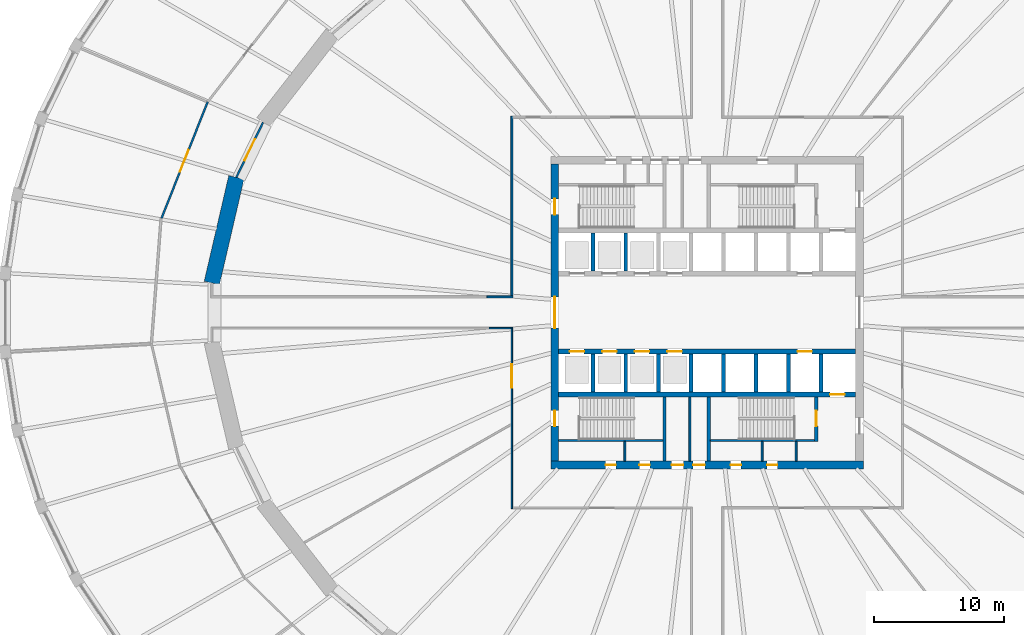
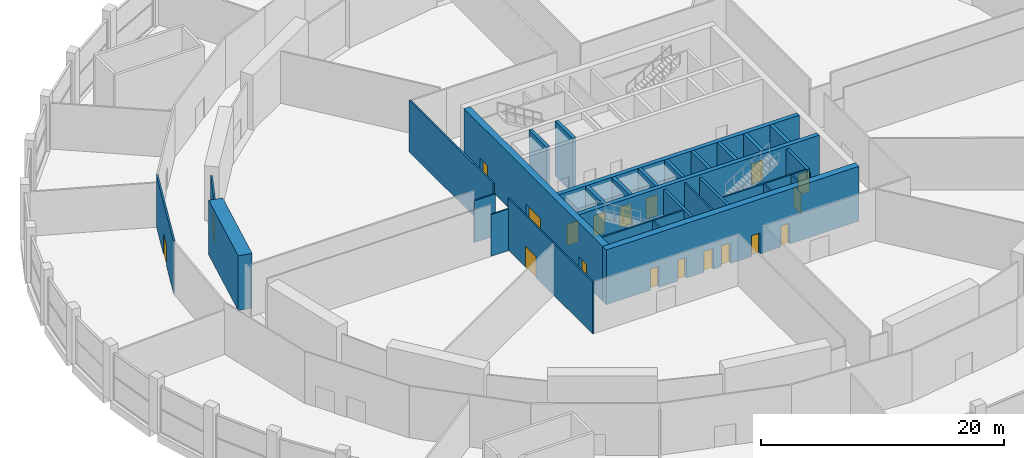
# One storey, part 20 of 26: 30 walls, 19 doors, 19 openings.
"""IFC4 building model written with IfcOpenShell, lengths in metres."""

import ifcopenshell
import ifcopenshell.guid

model = None  # the IFC model being written
_history = None  # IfcOwnerHistory: only IFC2X3 demands one
_inside = {}  # id of a spatial element -> (the spatial element, [elements in it])
_under = {}  # id of a project, library or spatial element -> (it, [spatial elements below it])
_declared = {}  # id of a project -> (the project, [libraries it declares])
_typed = {}  # id of a type object -> (the type object, [elements of that type])
_made_of = {}  # id of a material, layer set ... -> (it, [elements and type objects made of it])


def new_model(schema):
    """Start an empty IFC model of exactly this schema.

    Asked for "IFC4X3", IfcOpenShell would pick the latest addendum, in which some entities
    have other attributes; the version numbers below select the first issue.
    IFC2X3 requires an IfcOwnerHistory on every rooted entity: one is made here for all.
    """
    global model, _history
    if schema == "IFC4X3":
        model = ifcopenshell.file(schema_version=(4, 3, 0, 0))
    else:
        model = ifcopenshell.file(schema=schema)
    _inside.clear()
    _under.clear()
    _declared.clear()
    _typed.clear()
    _made_of.clear()
    _history = None
    if model.schema == "IFC2X3":
        org = make("IfcOrganization", Name="unknown")
        user = make(
            "IfcPersonAndOrganization",
            ThePerson=make("IfcPerson", FamilyName="unknown"),
            TheOrganization=org,
        )
        app = make(
            "IfcApplication",
            ApplicationDeveloper=org,
            Version="unknown",
            ApplicationFullName="unknown",
            ApplicationIdentifier="unknown",
        )
        _history = make(
            "IfcOwnerHistory",
            OwningUser=user,
            OwningApplication=app,
            ChangeAction="ADDED",
            CreationDate=0,
        )
    return model


def make(cls, **values):
    """One entity of the class cls with the attributes given. An attribute that is None is left unset."""
    return model.create_entity(
        cls, **{name: value for name, value in values.items() if value is not None}
    )


def rooted(cls, **values):
    """An entity with a GlobalId (a new one), such as an element, a storey or a relation."""
    return make(cls, GlobalId=ifcopenshell.guid.new(), OwnerHistory=_history, **values)


def si_unit(unit_type, name, prefix=None):
    """IfcSIUnit, for example si_unit("LENGTHUNIT", "METRE", prefix="MILLI")."""
    return make("IfcSIUnit", UnitType=unit_type, Prefix=prefix, Name=name)


def assignment(units):
    """IfcUnitAssignment: the units of a project."""
    return None if units is None else make("IfcUnitAssignment", Units=units)


def point(xyz):
    """IfcCartesianPoint."""
    return None if xyz is None else make("IfcCartesianPoint", Coordinates=xyz)


def direction(xyz):
    """IfcDirection."""
    return None if xyz is None else make("IfcDirection", DirectionRatios=xyz)


def frame(location, z_axis=None, x_axis=None):
    """IfcAxis2Placement3D, a coordinate frame: its origin and axes. An axis left out is left unset."""
    return make(
        "IfcAxis2Placement3D",
        Location=point(location),
        Axis=direction(z_axis),
        RefDirection=direction(x_axis),
    )


def frame_2d(location, x_axis=None):
    """IfcAxis2Placement2D, a coordinate frame in the plane: its origin and x axis."""
    return make(
        "IfcAxis2Placement2D", Location=point(location), RefDirection=direction(x_axis)
    )


def origin():
    """The frame at (0, 0, 0) with its axes left unset."""
    return frame((0.0, 0.0, 0.0))


def place(relative_to, where):
    """IfcLocalPlacement: puts the frame where relative to a parent placement (None: the world)."""
    return make(
        "IfcLocalPlacement", PlacementRelTo=relative_to, RelativePlacement=where
    )


def context(
    kind, dimensions, precision=None, world=None, true_north=None, identifier=None
):
    """IfcGeometricRepresentationContext, for example the 3D "Model" context."""
    return make(
        "IfcGeometricRepresentationContext",
        ContextIdentifier=identifier,
        ContextType=kind,
        CoordinateSpaceDimension=dimensions,
        Precision=precision,
        WorldCoordinateSystem=world,
        TrueNorth=true_north,
    )


def subcontext(parent, identifier, kind, view, scale=None):
    """IfcGeometricRepresentationSubContext, for example "Body" below "Model"."""
    return make(
        "IfcGeometricRepresentationSubContext",
        ContextIdentifier=identifier,
        ContextType=kind,
        ParentContext=parent,
        TargetScale=scale,
        TargetView=view,
    )


def project(units=None, contexts=None):
    """IfcProject with its units and contexts."""
    return rooted(
        "IfcProject",
        Name="project",
        RepresentationContexts=contexts,
        UnitsInContext=assignment(units),
    )


def spatial(cls, under=None, at=None, **own):
    """A site, building, storey or space (cls), placed at a placement, below another one or the project."""
    s = rooted(cls, ObjectPlacement=at, **own)
    if under is not None:
        _under.setdefault(under.id(), (under, []))[1].append(s)
    return s


def polyline(points):
    """IfcPolyline through the points."""
    return make("IfcPolyline", Points=[point(p) for p in points])


def profile(cls, at=None, kind="AREA", **sizes):
    """A parametric profile (cls). Its sizes go by their IFC names, for example OverallWidth=200.0."""
    return make(cls, ProfileType=kind, Position=at, **sizes)


def rectangle(**sizes):
    """IfcRectangleProfileDef."""
    return profile("IfcRectangleProfileDef", **sizes)


def outline(outer, holes=None, kind="AREA"):
    """IfcArbitraryClosedProfileDef: a profile drawn as a closed curve; with holes, ...WithVoids."""
    if holes is None:
        return make("IfcArbitraryClosedProfileDef", ProfileType=kind, OuterCurve=outer)
    return make(
        "IfcArbitraryProfileDefWithVoids",
        ProfileType=kind,
        OuterCurve=outer,
        InnerCurves=holes,
    )


def extrude(swept, where, along, depth):
    """IfcExtrudedAreaSolid: the profile swept, set in the frame where, extruded along a direction by depth."""
    return make(
        "IfcExtrudedAreaSolid",
        SweptArea=swept,
        Position=where,
        ExtrudedDirection=direction(along),
        Depth=depth,
    )


def shape(context_of_items, identifier, shape_type, items):
    """IfcShapeRepresentation: the items that make up one representation, for example the "Body"."""
    return make(
        "IfcShapeRepresentation",
        ContextOfItems=context_of_items,
        RepresentationIdentifier=identifier,
        RepresentationType=shape_type,
        Items=items,
    )


def material(Name=None, Category=None):
    """IfcMaterial."""
    return make("IfcMaterial", Name=Name, Category=Category)


def layer(
    of_material, thickness, ventilated=None, Name=None, Category=None, Priority=None
):
    """IfcMaterialLayer: one layer of a wall or slab, of a material (None: an air gap)."""
    return make(
        "IfcMaterialLayer",
        Material=of_material,
        LayerThickness=thickness,
        IsVentilated=ventilated,
        Name=Name,
        Category=Category,
        Priority=Priority,
    )


def layer_set(layers, Name=None):
    """IfcMaterialLayerSet."""
    return make("IfcMaterialLayerSet", MaterialLayers=layers, LayerSetName=Name)


def made_of(thing, what):
    """Note that an element or type object is made of a material, layer set ...; save() writes the relation."""
    if what is not None:
        _made_of.setdefault(what.id(), (what, []))[1].append(thing)
    return thing


def type_object(cls, material=None, **own):
    """A type object (cls), such as IfcWallType, which elements share."""
    return made_of(rooted(cls, **own), material)


def element(
    cls,
    number,
    at=None,
    inside=None,
    cuts=None,
    type_object=None,
    material=None,
    context=None,
    identifier="Body",
    shape_type=None,
    held_by="IfcProductDefinitionShape",
    body=None,
    shapes=None,
    **own,
):
    """One element of the class cls, such as IfcWall. Its Tag is "e" and its number.

    at: its placement. inside: the storey or other place that contains it. cuts: it is an
    opening in that element (IfcRelVoidsElement). A single representation is given by context,
    identifier, shape_type and body (its items); several are given by shapes. held_by: the class
    of the entity that holds the representations. save() writes the other relations.
    """
    e = rooted(cls, Tag="e%d" % number, ObjectPlacement=at, **own)
    if body is not None:
        shapes = [shape(context, identifier, shape_type, body)]
    if shapes is not None:
        e.Representation = make(held_by, Representations=shapes)
    if inside is not None:
        _inside.setdefault(inside.id(), (inside, []))[1].append(e)
    if cuts is not None:
        rooted(
            "IfcRelVoidsElement", RelatingBuildingElement=cuts, RelatedOpeningElement=e
        )
    if type_object is not None:
        _typed.setdefault(type_object.id(), (type_object, []))[1].append(e)
    return made_of(e, material)


def fill(opening, filler):
    """IfcRelFillsElement: the door or window that sits in an opening."""
    return rooted(
        "IfcRelFillsElement",
        RelatingOpeningElement=opening,
        RelatedBuildingElement=filler,
    )


def aggregate(whole, parts):
    """IfcRelAggregates: a whole, such as a stair, and the parts it consists of."""
    return rooted("IfcRelAggregates", RelatingObject=whole, RelatedObjects=parts)


def save(model, path):
    """Write the relations noted so far, then the file.

    IfcRelAggregates (storeys below a building ...), IfcRelContainedInSpatialStructure (elements
    in a storey), IfcRelDefinesByType, IfcRelAssociatesMaterial and IfcRelDeclares: one each for
    every whole, place, type object, material and project.
    """
    for whole, parts in _under.values():
        aggregate(whole, parts)
    for where, things in _inside.values():
        rooted(
            "IfcRelContainedInSpatialStructure",
            RelatedElements=things,
            RelatingStructure=where,
        )
    for kind, things in _typed.values():
        rooted("IfcRelDefinesByType", RelatedObjects=things, RelatingType=kind)
    for what, things in _made_of.values():
        rooted("IfcRelAssociatesMaterial", RelatedObjects=things, RelatingMaterial=what)
    for by, libraries in _declared.values():
        rooted("IfcRelDeclares", RelatingContext=by, RelatedDefinitions=libraries)
    model.write(path)


model = new_model("IFC4")

# Units and contexts
model_context = context("Model", 3, precision=1e-05, world=origin(), true_north=direction((0.0, 1.0)))
body_context = subcontext(model_context, "Body", "Model", "MODEL_VIEW")
ifc_project = project(units=[si_unit("LENGTHUNIT", "METRE"), si_unit("AREAUNIT", "SQUARE_METRE"), si_unit("VOLUMEUNIT", "CUBIC_METRE"), si_unit("PLANEANGLEUNIT", "RADIAN"), si_unit("MASSUNIT", "GRAM", prefix="KILO")], contexts=[model_context])

# Site, building, storey
site_placement = place(None, origin())
site = spatial("IfcSite", under=ifc_project, at=site_placement, CompositionType="ELEMENT")
building_placement = place(site_placement, origin())
building = spatial("IfcBuilding", under=site, at=building_placement, Name="Halqa Exchange Tower", CompositionType="ELEMENT")
storey_placement = place(building_placement, frame((0.0, 0.0, 18.0)))
storey = spatial("IfcBuildingStorey", under=building, at=storey_placement, Name="L03", CompositionType="ELEMENT", Elevation=18.0)

# Wall, opening, door
ifc_material_1 = material(Name="Fire-rated gypsum board")
ifc_layer_1 = layer(ifc_material_1, 0.14990234375)
ifc_layer_set_1 = layer_set([ifc_layer_1], Name="Fire-rated gypsum board")
wall_type_1 = type_object("IfcWallType", Name="Fire partition EI 60 150", PredefinedType="PARTITIONING", material=ifc_layer_set_1)
wall_1_placement = place(storey_placement, frame((-41.89892578125, 7.233642578125, 0.0), z_axis=(0.0, 0.0, 1.0), x_axis=(0.36854636118, 0.929609369392, 0.0)))
wall_1 = element("IfcWall", 1, at=wall_1_placement, inside=storey, type_object=wall_type_1, Name="L03-PWL-003", PredefinedType="PARTITIONING", context=body_context, shape_type="SweptSolid", body=[
    extrude(rectangle(XDim=9.625244140625, YDim=0.14990234375, at=frame_2d((4.8125, 0.0))), origin(), (0.0, 0.0, 1.0), 5.199951171875),
])
opening_1_placement = place(wall_1_placement, frame((3.845458984375, 0.0, 0.0)))
opening_1 = element("IfcOpeningElement", 2, at=opening_1_placement, cuts=wall_1, Name="Opening L03-25", PredefinedType="OPENING", context=body_context, shape_type="SweptSolid", body=[
    extrude(rectangle(XDim=1.800048828125, YDim=2.10009765625, at=frame_2d((0.89990234375, 1.050048828125))), frame((0.0, 0.0869140625, 0.0), z_axis=(0.0, -1.0, 0.0), x_axis=(1.0, 0.0, 0.0)), (0.0, 0.0, 1.0), 0.173828125),
])
ifc_material_2 = material(Name="Steel fire door leaf", Category="steel")
door_type_1 = type_object("IfcDoorType", Name="Fire door FD30S double 1800 x 2100", OperationType="DOUBLE_DOOR_SINGLE_SWING", PredefinedType="DOOR", material=ifc_material_2)
door_1_placement = place(opening_1_placement, origin())
door_1 = element("IfcDoor", 3, at=door_1_placement, inside=storey, type_object=door_type_1, Name="L03-IDR-025", OperationType="DOUBLE_DOOR_SINGLE_SWING", OverallHeight=2.10009765625, OverallWidth=1.800048828125, PredefinedType="DOOR", context=body_context, shape_type="SweptSolid", body=[
    extrude(rectangle(XDim=1.800048828125, YDim=2.10009765625, at=frame_2d((0.89990234375, 1.050048828125))), frame((0.0, 0.02490234375, 0.0), z_axis=(0.0, -1.0, 0.0), x_axis=(1.0, 0.0, 0.0)), (0.0, 0.0, 1.0), 0.050048828125),
])
fill(opening_1, door_1)

wall_2_placement = place(storey_placement, frame((-34.09716796875, 14.605712890625, 0.0), z_axis=(0.0, 0.0, 1.0), x_axis=(-0.436936398764, -0.899492403212, 0.0)))
wall_2 = element("IfcWall", 4, at=wall_2_placement, inside=storey, type_object=wall_type_1, Name="L03-PWL-015", PredefinedType="PARTITIONING", context=body_context, shape_type="SweptSolid", body=[
    extrude(outline(polyline([(-0.015869140625, -0.074951171875), (4.715087890625, -0.074951171875), (4.680908203125, 0.074951171875), (0.015869140625, 0.074951171875), (-0.015869140625, -0.074951171875)])), origin(), (0.0, 0.0, 1.0), 4.60009765625),
])
opening_2_placement = place(wall_2_placement, frame((1.452392578125, 0.0, 0.0)))
opening_2 = element("IfcOpeningElement", 5, at=opening_2_placement, cuts=wall_2, Name="Opening L03-08", PredefinedType="OPENING", context=body_context, shape_type="SweptSolid", body=[
    extrude(rectangle(XDim=1.800048828125, YDim=2.10009765625, at=frame_2d((0.89990234375, 1.050048828125))), frame((0.0, 0.0869140625, 0.0), z_axis=(0.0, -1.0, 0.0), x_axis=(1.0, 0.0, 0.0)), (0.0, 0.0, 1.0), 0.173828125),
])
door_2_placement = place(opening_2_placement, origin())
door_2 = element("IfcDoor", 6, at=door_2_placement, inside=storey, type_object=door_type_1, Name="L03-IDR-008", OperationType="DOUBLE_DOOR_SINGLE_SWING", OverallHeight=2.10009765625, OverallWidth=1.800048828125, PredefinedType="DOOR", context=body_context, shape_type="SweptSolid", body=[
    extrude(rectangle(XDim=1.800048828125, YDim=2.10009765625, at=frame_2d((0.89990234375, 1.050048828125))), frame((0.0, 0.02490234375, 0.0), z_axis=(0.0, -1.0, 0.0), x_axis=(1.0, 0.0, 0.0)), (0.0, 0.0, 1.0), 0.050048828125),
])
fill(opening_2, door_2)

# Walls
wall_3_placement = place(storey_placement, frame((-15.0, 1.27490234375, 0.0), z_axis=(0.0, 0.0, 1.0), x_axis=(0.0, 1.0, 0.0)))
element("IfcWall", 7, at=wall_3_placement, inside=storey, type_object=wall_type_1, Name="L03-PWL-030", PredefinedType="PARTITIONING", context=body_context, shape_type="SweptSolid", body=[
    extrude(rectangle(XDim=13.800048828125, YDim=0.14990234375, at=frame_2d((6.89990234375, 0.0))), origin(), (0.0, 0.0, 1.0), 5.199951171875),
])
wall_4_placement = place(storey_placement, frame((-16.91796875, 1.199951171875, 0.0), z_axis=(0.0, 0.0, 1.0), x_axis=(1.0, 0.0, 0.0)))
element("IfcWall", 8, at=wall_4_placement, inside=storey, type_object=wall_type_1, Name="L03-PWL-085", PredefinedType="PARTITIONING", context=body_context, shape_type="SweptSolid", body=[
    extrude(rectangle(XDim=1.992919921875, YDim=0.14990234375, at=frame_2d((0.99658203125, 0.0))), origin(), (0.0, 0.0, 1.0), 4.19189453125),
])

# Wall, opening, door
ifc_material_3 = material(Name="Fire-rated glazing", Category="glass")
ifc_layer_2 = layer(ifc_material_3, 0.1201171875)
ifc_layer_set_2 = layer_set([ifc_layer_2], Name="Fire-rated glazing")
wall_type_2 = type_object("IfcWallType", Name="Glazed fire partition EI 60 120", PredefinedType="PARTITIONING", material=ifc_layer_set_2)
wall_5_placement = place(storey_placement, frame((-15.0, -15.06005859375, 0.0), z_axis=(0.0, 0.0, 1.0), x_axis=(0.0, 1.0, 0.0)))
wall_5 = element("IfcWall", 9, at=wall_5_placement, inside=storey, type_object=wall_type_2, Name="L03-PWL-027", PredefinedType="PARTITIONING", context=body_context, shape_type="SweptSolid", body=[
    extrude(rectangle(XDim=13.920166015625, YDim=0.1201171875, at=frame_2d((6.9599609375, 0.0))), origin(), (0.0, 0.0, 1.0), 5.199951171875),
])
opening_3_placement = place(wall_5_placement, frame((9.277587890625, 0.0, 0.0)))
opening_3 = element("IfcOpeningElement", 10, at=opening_3_placement, cuts=wall_5, Name="Opening L03-09", PredefinedType="OPENING", context=body_context, shape_type="SweptSolid", body=[
    extrude(rectangle(XDim=1.800048828125, YDim=2.10009765625, at=frame_2d((0.89990234375, 1.050048828125))), frame((0.0, 0.072021484375, 0.0), z_axis=(0.0, -1.0, 0.0), x_axis=(1.0, 0.0, 0.0)), (0.0, 0.0, 1.0), 0.14404296875),
])
door_3_placement = place(opening_3_placement, origin())
door_3 = element("IfcDoor", 11, at=door_3_placement, inside=storey, type_object=door_type_1, Name="L03-IDR-009", OperationType="DOUBLE_DOOR_SINGLE_SWING", OverallHeight=2.10009765625, OverallWidth=1.800048828125, PredefinedType="DOOR", context=body_context, shape_type="SweptSolid", body=[
    extrude(rectangle(XDim=1.800048828125, YDim=2.10009765625, at=frame_2d((0.89990234375, 1.050048828125))), frame((0.0, 0.02490234375, 0.0), z_axis=(0.0, -1.0, 0.0), x_axis=(1.0, 0.0, 0.0)), (0.0, 0.0, 1.0), 0.050048828125),
])
fill(opening_3, door_3)

# Walls
wall_6_placement = place(storey_placement, frame((-15.06005859375, -1.199951171875, 0.0), z_axis=(0.0, 0.0, 1.0), x_axis=(-1.0, 0.0, 0.0)))
element("IfcWall", 12, at=wall_6_placement, inside=storey, type_object=wall_type_2, Name="L03-PWL-029", PredefinedType="PARTITIONING", context=body_context, shape_type="SweptSolid", body=[
    extrude(rectangle(XDim=1.68017578125, YDim=0.1201171875, at=frame_2d((0.840087890625, 0.0))), origin(), (0.0, 0.0, 1.0), 4.19189453125),
])
ifc_material_4 = material(Name="Gypsum board")
ifc_layer_3 = layer(ifc_material_4, 0.14990234375)
ifc_layer_set_3 = layer_set([ifc_layer_3], Name="Gypsum board")
wall_type_3 = type_object("IfcWallType", Name="Penthouse riser wall 150 gypsum", PredefinedType="PARTITIONING", material=ifc_layer_set_3)
wall_7_placement = place(storey_placement, frame((-1.324951171875, -11.39990234375, 0.0), z_axis=(0.0, 0.0, 1.0), x_axis=(0.0, 1.0, 0.0)))
element("IfcWall", 13, at=wall_7_placement, inside=storey, type_object=wall_type_3, Name="Partition W1.325 S", PredefinedType="PARTITIONING", context=body_context, shape_type="SweptSolid", body=[
    extrude(rectangle(XDim=4.89990234375, YDim=0.14990234375, at=frame_2d((2.449951171875, 0.0))), origin(), (0.0, 0.0, 1.0), 5.199951171875),
])
for number, where, z_axis, x_axis, name in (
    (14, (-6.324951171875, -11.39990234375, 0.0), (0.0, 0.0, 1.0), (0.0, 1.0, 0.0), "Partition W6.325 S"),
    (15, (4.22509765625, -11.39990234375, 0.0), (0.0, 0.0, 1.0), (0.0, 1.0, 0.0), "Partition E4.225 S"),
    (16, (6.824951171875, -11.39990234375, 0.0), (0.0, 0.0, 1.0), (0.0, 1.0, 0.0), "Firefighting lobby west wall S"),
):
    element("IfcWall", number, at=place(storey_placement, frame(where, z_axis=z_axis, x_axis=x_axis)), inside=storey, type_object=wall_type_3, Name=name, PredefinedType="PARTITIONING", context=body_context, shape_type="SweptSolid", body=[
        extrude(rectangle(XDim=1.5, YDim=0.14990234375, at=frame_2d((0.75, 0.0))), origin(), (0.0, 0.0, 1.0), 5.199951171875),
    ])
ifc_material_5 = material(Name="Concrete C60/75", Category="concrete")
ifc_layer_4 = layer(ifc_material_5, 0.300048828125)
ifc_layer_set_4 = layer_set([ifc_layer_4], Name="Concrete C60/75")
wall_type_4 = type_object("IfcWallType", Name="RC core wall 300", PredefinedType="SHEAR", material=ifc_layer_set_4)
for number, where, z_axis, x_axis, name in (
    (17, (-8.75, 3.199951171875, 0.0), (0.0, 0.0, 1.0), (0.0, 1.0, 0.0), "Shaft divider N1"),
    (18, (-6.25, 3.199951171875, 0.0), (0.0, 0.0, 1.0), (0.0, 1.0, 0.0), "Shaft divider N2"),
    (19, (-8.75, -6.10009765625, 0.0), (0.0, 0.0, 1.0), (0.0, 1.0, 0.0), "Shaft divider S1"),
    (20, (-6.25, -6.10009765625, 0.0), (0.0, 0.0, 1.0), (0.0, 1.0, 0.0), "Shaft divider S2"),
    (21, (-3.75, -6.10009765625, 0.0), (0.0, 0.0, 1.0), (0.0, 1.0, 0.0), "Shaft divider S3"),
    (22, (-1.25, -6.10009765625, 0.0), (0.0, 0.0, 1.0), (0.0, 1.0, 0.0), "Shaft divider S4"),
    (23, (1.25, -6.10009765625, 0.0), (0.0, 0.0, 1.0), (0.0, 1.0, 0.0), "Shaft divider S5"),
    (24, (3.75, -6.10009765625, 0.0), (0.0, 0.0, 1.0), (0.0, 1.0, 0.0), "Shaft divider S6"),
    (25, (6.25, -6.10009765625, 0.0), (0.0, 0.0, 1.0), (0.0, 1.0, 0.0), "Shaft divider S7"),
    (26, (8.75, -6.10009765625, 0.0), (0.0, 0.0, 1.0), (0.0, 1.0, 0.0), "Shaft divider S8"),
):
    element("IfcWall", number, at=place(storey_placement, frame(where, z_axis=z_axis, x_axis=x_axis)), inside=storey, type_object=wall_type_4, Name=name, PredefinedType="SHEAR", context=body_context, shape_type="SweptSolid", body=[
        extrude(rectangle(XDim=2.900146484375, YDim=0.300048828125, at=frame_2d((1.4501953125, 0.0))), origin(), (0.0, 0.0, 1.0), 5.5),
    ])

# Wall, openings, doors
ifc_material_6 = material(Name="Concrete C80/95", Category="concrete")
ifc_layer_5 = layer(ifc_material_6, 0.39990234375)
ifc_layer_set_5 = layer_set([ifc_layer_5], Name="Concrete C80/95")
wall_type_5 = type_object("IfcWallType", Name="RC core wall 400 C80/95", PredefinedType="SHEAR", material=ifc_layer_set_5)
wall_8_placement = place(storey_placement, frame((-11.39990234375, -3.0, 0.0), z_axis=(0.0, 0.0, 1.0), x_axis=(1.0, 0.0, 0.0)))
wall_8 = element("IfcWall", 27, at=wall_8_placement, inside=storey, type_object=wall_type_5, Name="Lift row front wall S", PredefinedType="SHEAR", context=body_context, shape_type="SweptSolid", body=[
    extrude(rectangle(XDim=22.7998046875, YDim=0.39990234375, at=frame_2d((11.39990234375, 0.0))), origin(), (0.0, 0.0, 1.0), 5.5),
])
opening_4_placement = place(wall_8_placement, frame((0.85009765625, 0.0, 0.0)))
opening_4 = element("IfcOpeningElement", 28, at=opening_4_placement, cuts=wall_8, Name="Opening LD-LR5-L03", PredefinedType="OPENING", context=body_context, shape_type="SweptSolid", body=[
    extrude(rectangle(XDim=1.10009765625, YDim=2.10009765625, at=frame_2d((0.550048828125, 1.050048828125))), frame((0.0, 0.2119140625, 0.0), z_axis=(0.0, -1.0, 0.0), x_axis=(1.0, 0.0, 0.0)), (0.0, 0.0, 1.0), 0.423828125),
])
opening_5_placement = place(wall_8_placement, frame((3.35009765625, 0.0, 0.0)))
opening_5 = element("IfcOpeningElement", 29, at=opening_5_placement, cuts=wall_8, Name="Opening LD-LR6-L03", PredefinedType="OPENING", context=body_context, shape_type="SweptSolid", body=[
    extrude(rectangle(XDim=1.10009765625, YDim=2.10009765625, at=frame_2d((0.550048828125, 1.050048828125))), frame((0.0, 0.2119140625, 0.0), z_axis=(0.0, -1.0, 0.0), x_axis=(1.0, 0.0, 0.0)), (0.0, 0.0, 1.0), 0.423828125),
])
opening_6_placement = place(wall_8_placement, frame((5.85009765625, 0.0, 0.0)))
opening_6 = element("IfcOpeningElement", 30, at=opening_6_placement, cuts=wall_8, Name="Opening LD-LR7-L03", PredefinedType="OPENING", context=body_context, shape_type="SweptSolid", body=[
    extrude(rectangle(XDim=1.10009765625, YDim=2.10009765625, at=frame_2d((0.550048828125, 1.050048828125))), frame((0.0, 0.2119140625, 0.0), z_axis=(0.0, -1.0, 0.0), x_axis=(1.0, 0.0, 0.0)), (0.0, 0.0, 1.0), 0.423828125),
])
opening_7_placement = place(wall_8_placement, frame((8.35009765625, 0.0, 0.0)))
opening_7 = element("IfcOpeningElement", 31, at=opening_7_placement, cuts=wall_8, Name="Opening LD-LR8-L03", PredefinedType="OPENING", context=body_context, shape_type="SweptSolid", body=[
    extrude(rectangle(XDim=1.10009765625, YDim=2.10009765625, at=frame_2d((0.550048828125, 1.050048828125))), frame((0.0, 0.2119140625, 0.0), z_axis=(0.0, -1.0, 0.0), x_axis=(1.0, 0.0, 0.0)), (0.0, 0.0, 1.0), 0.423828125),
])
opening_8_placement = place(wall_8_placement, frame((18.35009765625, 0.0, 0.0)))
opening_8 = element("IfcOpeningElement", 32, at=opening_8_placement, cuts=wall_8, Name="Opening LD-SV2-L03", PredefinedType="OPENING", context=body_context, shape_type="SweptSolid", body=[
    extrude(rectangle(XDim=1.10009765625, YDim=2.10009765625, at=frame_2d((0.550048828125, 1.050048828125))), frame((0.0, 0.2119140625, 0.0), z_axis=(0.0, -1.0, 0.0), x_axis=(1.0, 0.0, 0.0)), (0.0, 0.0, 1.0), 0.423828125),
])
ifc_material_7 = material(Name="Stainless steel", Category="steel")
door_type_2 = type_object("IfcDoorType", Name="Lift landing door 1100 x 2100", OperationType="SLIDING_TO_LEFT", PredefinedType="DOOR", material=ifc_material_7)
door_4_placement = place(opening_4_placement, origin())
door_4 = element("IfcDoor", 33, at=door_4_placement, inside=storey, type_object=door_type_2, Name="Lift landing door LR5", OperationType="SLIDING_TO_LEFT", OverallHeight=2.10009765625, OverallWidth=1.10009765625, PredefinedType="DOOR", context=body_context, shape_type="SweptSolid", body=[
    extrude(rectangle(XDim=1.10009765625, YDim=2.10009765625, at=frame_2d((0.550048828125, 1.050048828125))), frame((0.0, 0.02490234375, 0.0), z_axis=(0.0, -1.0, 0.0), x_axis=(1.0, 0.0, 0.0)), (0.0, 0.0, 1.0), 0.050048828125),
])
fill(opening_4, door_4)
door_5_placement = place(opening_5_placement, origin())
door_5 = element("IfcDoor", 34, at=door_5_placement, inside=storey, type_object=door_type_2, Name="Lift landing door LR6", OperationType="SLIDING_TO_LEFT", OverallHeight=2.10009765625, OverallWidth=1.10009765625, PredefinedType="DOOR", context=body_context, shape_type="SweptSolid", body=[
    extrude(rectangle(XDim=1.10009765625, YDim=2.10009765625, at=frame_2d((0.550048828125, 1.050048828125))), frame((0.0, 0.02490234375, 0.0), z_axis=(0.0, -1.0, 0.0), x_axis=(1.0, 0.0, 0.0)), (0.0, 0.0, 1.0), 0.050048828125),
])
fill(opening_5, door_5)
door_6_placement = place(opening_6_placement, origin())
door_6 = element("IfcDoor", 35, at=door_6_placement, inside=storey, type_object=door_type_2, Name="Lift landing door LR7", OperationType="SLIDING_TO_LEFT", OverallHeight=2.10009765625, OverallWidth=1.10009765625, PredefinedType="DOOR", context=body_context, shape_type="SweptSolid", body=[
    extrude(rectangle(XDim=1.10009765625, YDim=2.10009765625, at=frame_2d((0.550048828125, 1.050048828125))), frame((0.0, 0.02490234375, 0.0), z_axis=(0.0, -1.0, 0.0), x_axis=(1.0, 0.0, 0.0)), (0.0, 0.0, 1.0), 0.050048828125),
])
fill(opening_6, door_6)
door_7_placement = place(opening_7_placement, origin())
door_7 = element("IfcDoor", 36, at=door_7_placement, inside=storey, type_object=door_type_2, Name="Lift landing door LR8", OperationType="SLIDING_TO_LEFT", OverallHeight=2.10009765625, OverallWidth=1.10009765625, PredefinedType="DOOR", context=body_context, shape_type="SweptSolid", body=[
    extrude(rectangle(XDim=1.10009765625, YDim=2.10009765625, at=frame_2d((0.550048828125, 1.050048828125))), frame((0.0, 0.02490234375, 0.0), z_axis=(0.0, -1.0, 0.0), x_axis=(1.0, 0.0, 0.0)), (0.0, 0.0, 1.0), 0.050048828125),
])
fill(opening_7, door_7)
door_8_placement = place(opening_8_placement, origin())
door_8 = element("IfcDoor", 37, at=door_8_placement, inside=storey, type_object=door_type_2, Name="Lift landing door SV2", OperationType="SLIDING_TO_LEFT", OverallHeight=2.10009765625, OverallWidth=1.10009765625, PredefinedType="DOOR", context=body_context, shape_type="SweptSolid", body=[
    extrude(rectangle(XDim=1.10009765625, YDim=2.10009765625, at=frame_2d((0.550048828125, 1.050048828125))), frame((0.0, 0.02490234375, 0.0), z_axis=(0.0, -1.0, 0.0), x_axis=(1.0, 0.0, 0.0)), (0.0, 0.0, 1.0), 0.050048828125),
])
fill(opening_8, door_8)

# Wall, opening, door
wall_9_placement = place(storey_placement, frame((-11.39990234375, -6.300048828125, 0.0), z_axis=(0.0, 0.0, 1.0), x_axis=(1.0, 0.0, 0.0)))
wall_9 = element("IfcWall", 38, at=wall_9_placement, inside=storey, type_object=wall_type_5, Name="Lift row back wall S", PredefinedType="SHEAR", context=body_context, shape_type="SweptSolid", body=[
    extrude(rectangle(XDim=22.7998046875, YDim=0.39990234375, at=frame_2d((11.39990234375, 0.0))), origin(), (0.0, 0.0, 1.0), 5.5),
])
opening_9_placement = place(wall_9_placement, frame((20.85009765625, 0.0, 0.0)))
opening_9 = element("IfcOpeningElement", 39, at=opening_9_placement, cuts=wall_9, Name="Opening LD-FF2-L03", PredefinedType="OPENING", context=body_context, shape_type="SweptSolid", body=[
    extrude(rectangle(XDim=1.10009765625, YDim=2.10009765625, at=frame_2d((0.550048828125, 1.050048828125))), frame((0.0, 0.2119140625, 0.0), z_axis=(0.0, -1.0, 0.0), x_axis=(1.0, 0.0, 0.0)), (0.0, 0.0, 1.0), 0.423828125),
])
door_9_placement = place(opening_9_placement, origin())
door_9 = element("IfcDoor", 40, at=door_9_placement, inside=storey, type_object=door_type_2, Name="Lift landing door FF2", OperationType="SLIDING_TO_LEFT", OverallHeight=2.10009765625, OverallWidth=1.10009765625, PredefinedType="DOOR", context=body_context, shape_type="SweptSolid", body=[
    extrude(rectangle(XDim=1.10009765625, YDim=2.10009765625, at=frame_2d((0.550048828125, 1.050048828125))), frame((0.0, 0.02490234375, 0.0), z_axis=(0.0, -1.0, 0.0), x_axis=(1.0, 0.0, 0.0)), (0.0, 0.0, 1.0), 0.050048828125),
])
fill(opening_9, door_9)

# Wall, openings, doors
ifc_layer_6 = layer(ifc_material_6, 0.60009765625)
ifc_layer_set_6 = layer_set([ifc_layer_6], Name="Concrete C80/95")
wall_type_6 = type_object("IfcWallType", Name="RC core wall 600 C80/95", PredefinedType="SHEAR", material=ifc_layer_set_6)
wall_10_placement = place(storey_placement, frame((-12.0, -11.699951171875, 0.0), z_axis=(0.0, 0.0, 1.0), x_axis=(1.0, 0.0, 0.0)))
wall_10 = element("IfcWall", 41, at=wall_10_placement, inside=storey, type_object=wall_type_6, Name="Core wall south", PredefinedType="SHEAR", context=body_context, shape_type="SweptSolid", body=[
    extrude(rectangle(XDim=24.0, YDim=0.60009765625, at=frame_2d((12.0, 0.0))), origin(), (0.0, 0.0, 1.0), 5.5),
])
opening_10_placement = place(wall_10_placement, frame((9.27490234375, 0.0, 0.0)))
opening_10 = element("IfcOpeningElement", 42, at=opening_10_placement, cuts=wall_10, Name="Opening L03-C31", PredefinedType="OPENING", context=body_context, shape_type="SweptSolid", body=[
    extrude(rectangle(XDim=0.89990234375, YDim=2.10009765625, at=frame_2d((0.449951171875, 1.050048828125))), frame((0.0, 0.31201171875, 0.0), z_axis=(0.0, -1.0, 0.0), x_axis=(1.0, 0.0, 0.0)), (0.0, 0.0, 1.0), 0.6240234375),
])
opening_11_placement = place(wall_10_placement, frame((10.925048828125, 0.0, 0.0)))
opening_11 = element("IfcOpeningElement", 43, at=opening_11_placement, cuts=wall_10, Name="Opening L03-C32", PredefinedType="OPENING", context=body_context, shape_type="SweptSolid", body=[
    extrude(rectangle(XDim=0.89990234375, YDim=2.10009765625, at=frame_2d((0.449951171875, 1.050048828125))), frame((0.0, 0.31201171875, 0.0), z_axis=(0.0, -1.0, 0.0), x_axis=(1.0, 0.0, 0.0)), (0.0, 0.0, 1.0), 0.6240234375),
])
opening_12_placement = place(wall_10_placement, frame((4.199951171875, 0.0, 0.0)))
opening_12 = element("IfcOpeningElement", 44, at=opening_12_placement, cuts=wall_10, Name="Opening L03-C33", PredefinedType="OPENING", context=body_context, shape_type="SweptSolid", body=[
    extrude(rectangle(XDim=0.800048828125, YDim=2.10009765625, at=frame_2d((0.39990234375, 1.050048828125))), frame((0.0, 0.31201171875, 0.0), z_axis=(0.0, -1.0, 0.0), x_axis=(1.0, 0.0, 0.0)), (0.0, 0.0, 1.0), 0.6240234375),
])
opening_13_placement = place(wall_10_placement, frame((6.800048828125, 0.0, 0.0)))
opening_13 = element("IfcOpeningElement", 45, at=opening_13_placement, cuts=wall_10, Name="Opening L03-C34", PredefinedType="OPENING", context=body_context, shape_type="SweptSolid", body=[
    extrude(rectangle(XDim=0.800048828125, YDim=2.10009765625, at=frame_2d((0.39990234375, 1.050048828125))), frame((0.0, 0.31201171875, 0.0), z_axis=(0.0, -1.0, 0.0), x_axis=(1.0, 0.0, 0.0)), (0.0, 0.0, 1.0), 0.6240234375),
])
opening_14_placement = place(wall_10_placement, frame((13.800048828125, 0.0, 0.0)))
opening_14 = element("IfcOpeningElement", 46, at=opening_14_placement, cuts=wall_10, Name="Opening L03-C35", PredefinedType="OPENING", context=body_context, shape_type="SweptSolid", body=[
    extrude(rectangle(XDim=0.800048828125, YDim=2.10009765625, at=frame_2d((0.39990234375, 1.050048828125))), frame((0.0, 0.31201171875, 0.0), z_axis=(0.0, -1.0, 0.0), x_axis=(1.0, 0.0, 0.0)), (0.0, 0.0, 1.0), 0.6240234375),
])
opening_15_placement = place(wall_10_placement, frame((16.60009765625, 0.0, 0.0)))
opening_15 = element("IfcOpeningElement", 47, at=opening_15_placement, cuts=wall_10, Name="Opening L03-C36", PredefinedType="OPENING", context=body_context, shape_type="SweptSolid", body=[
    extrude(rectangle(XDim=0.800048828125, YDim=2.10009765625, at=frame_2d((0.39990234375, 1.050048828125))), frame((0.0, 0.31201171875, 0.0), z_axis=(0.0, -1.0, 0.0), x_axis=(1.0, 0.0, 0.0)), (0.0, 0.0, 1.0), 0.6240234375),
])
ifc_material_8 = material(Name="Timber fire door leaf", Category="wood")
door_type_3 = type_object("IfcDoorType", Name="Core room door FD30 900 x 2100", OperationType="SINGLE_SWING_LEFT", PredefinedType="DOOR", material=ifc_material_8)
door_10_placement = place(opening_10_placement, origin())
door_10 = element("IfcDoor", 48, at=door_10_placement, inside=storey, type_object=door_type_3, Name="Core room door", OperationType="SINGLE_SWING_RIGHT", OverallHeight=2.10009765625, OverallWidth=0.89990234375, PredefinedType="DOOR", context=body_context, shape_type="SweptSolid", body=[
    extrude(rectangle(XDim=0.89990234375, YDim=2.10009765625, at=frame_2d((0.449951171875, 1.050048828125))), frame((0.0, 0.02490234375, 0.0), z_axis=(0.0, -1.0, 0.0), x_axis=(1.0, 0.0, 0.0)), (0.0, 0.0, 1.0), 0.050048828125),
])
fill(opening_10, door_10)
door_11_placement = place(opening_11_placement, origin())
door_11 = element("IfcDoor", 49, at=door_11_placement, inside=storey, type_object=door_type_3, Name="Core room door", OperationType="SINGLE_SWING_RIGHT", OverallHeight=2.10009765625, OverallWidth=0.89990234375, PredefinedType="DOOR", context=body_context, shape_type="SweptSolid", body=[
    extrude(rectangle(XDim=0.89990234375, YDim=2.10009765625, at=frame_2d((0.449951171875, 1.050048828125))), frame((0.0, 0.02490234375, 0.0), z_axis=(0.0, -1.0, 0.0), x_axis=(1.0, 0.0, 0.0)), (0.0, 0.0, 1.0), 0.050048828125),
])
fill(opening_11, door_11)
door_type_4 = type_object("IfcDoorType", Name="Riser door FD60 800 x 2100", OperationType="SINGLE_SWING_LEFT", PredefinedType="DOOR", material=ifc_material_2)
door_12_placement = place(opening_12_placement, origin())
door_12 = element("IfcDoor", 50, at=door_12_placement, inside=storey, type_object=door_type_4, Name="Core room door", OperationType="SINGLE_SWING_LEFT", OverallHeight=2.10009765625, OverallWidth=0.800048828125, PredefinedType="DOOR", context=body_context, shape_type="SweptSolid", body=[
    extrude(rectangle(XDim=0.800048828125, YDim=2.10009765625, at=frame_2d((0.39990234375, 1.050048828125))), frame((0.0, 0.02490234375, 0.0), z_axis=(0.0, -1.0, 0.0), x_axis=(1.0, 0.0, 0.0)), (0.0, 0.0, 1.0), 0.050048828125),
])
fill(opening_12, door_12)
door_13_placement = place(opening_13_placement, origin())
door_13 = element("IfcDoor", 51, at=door_13_placement, inside=storey, type_object=door_type_4, Name="Core room door", OperationType="SINGLE_SWING_LEFT", OverallHeight=2.10009765625, OverallWidth=0.800048828125, PredefinedType="DOOR", context=body_context, shape_type="SweptSolid", body=[
    extrude(rectangle(XDim=0.800048828125, YDim=2.10009765625, at=frame_2d((0.39990234375, 1.050048828125))), frame((0.0, 0.02490234375, 0.0), z_axis=(0.0, -1.0, 0.0), x_axis=(1.0, 0.0, 0.0)), (0.0, 0.0, 1.0), 0.050048828125),
])
fill(opening_13, door_13)
door_14_placement = place(opening_14_placement, origin())
door_14 = element("IfcDoor", 52, at=door_14_placement, inside=storey, type_object=door_type_4, Name="Core room door", OperationType="SINGLE_SWING_LEFT", OverallHeight=2.10009765625, OverallWidth=0.800048828125, PredefinedType="DOOR", context=body_context, shape_type="SweptSolid", body=[
    extrude(rectangle(XDim=0.800048828125, YDim=2.10009765625, at=frame_2d((0.39990234375, 1.050048828125))), frame((0.0, 0.02490234375, 0.0), z_axis=(0.0, -1.0, 0.0), x_axis=(1.0, 0.0, 0.0)), (0.0, 0.0, 1.0), 0.050048828125),
])
fill(opening_14, door_14)
door_15_placement = place(opening_15_placement, origin())
door_15 = element("IfcDoor", 53, at=door_15_placement, inside=storey, type_object=door_type_4, Name="Core room door", OperationType="SINGLE_SWING_RIGHT", OverallHeight=2.10009765625, OverallWidth=0.800048828125, PredefinedType="DOOR", context=body_context, shape_type="SweptSolid", body=[
    extrude(rectangle(XDim=0.800048828125, YDim=2.10009765625, at=frame_2d((0.39990234375, 1.050048828125))), frame((0.0, 0.02490234375, 0.0), z_axis=(0.0, -1.0, 0.0), x_axis=(1.0, 0.0, 0.0)), (0.0, 0.0, 1.0), 0.050048828125),
])
fill(opening_15, door_15)

wall_11_placement = place(storey_placement, frame((-11.699951171875, -11.39990234375, 0.0), z_axis=(0.0, 0.0, 1.0), x_axis=(0.0, 1.0, 0.0)))
wall_11 = element("IfcWall", 54, at=wall_11_placement, inside=storey, type_object=wall_type_6, Name="Core wall west", PredefinedType="SHEAR", context=body_context, shape_type="SweptSolid", body=[
    extrude(rectangle(XDim=22.7998046875, YDim=0.60009765625, at=frame_2d((11.39990234375, 0.0))), origin(), (0.0, 0.0, 1.0), 5.5),
])
opening_16_placement = place(wall_11_placement, frame((10.199951171875, 0.0, 0.0)))
opening_16 = element("IfcOpeningElement", 55, at=opening_16_placement, cuts=wall_11, Name="Opening L03-C13", PredefinedType="OPENING", context=body_context, shape_type="SweptSolid", body=[
    extrude(rectangle(XDim=2.39990234375, YDim=2.10009765625, at=frame_2d((1.199951171875, 1.050048828125))), frame((0.0, 0.31201171875, 0.0), z_axis=(0.0, -1.0, 0.0), x_axis=(1.0, 0.0, 0.0)), (0.0, 0.0, 1.0), 0.6240234375),
])
opening_17_placement = place(wall_11_placement, frame((18.925048828125, 0.0, 0.0)))
opening_17 = element("IfcOpeningElement", 56, at=opening_17_placement, cuts=wall_11, Name="Opening L03-C19", PredefinedType="OPENING", context=body_context, shape_type="SweptSolid", body=[
    extrude(rectangle(XDim=1.199951171875, YDim=2.10009765625, at=frame_2d((0.60009765625, 1.050048828125))), frame((0.0, 0.31201171875, 0.0), z_axis=(0.0, -1.0, 0.0), x_axis=(1.0, 0.0, 0.0)), (0.0, 0.0, 1.0), 0.6240234375),
])
opening_18_placement = place(wall_11_placement, frame((2.675048828125, 0.0, 0.0)))
opening_18 = element("IfcOpeningElement", 57, at=opening_18_placement, cuts=wall_11, Name="Opening L03-C21", PredefinedType="OPENING", context=body_context, shape_type="SweptSolid", body=[
    extrude(rectangle(XDim=1.199951171875, YDim=2.10009765625, at=frame_2d((0.60009765625, 1.050048828125))), frame((0.0, 0.31201171875, 0.0), z_axis=(0.0, -1.0, 0.0), x_axis=(1.0, 0.0, 0.0)), (0.0, 0.0, 1.0), 0.6240234375),
])
door_type_5 = type_object("IfcDoorType", Name="Lobby double door FD60 2400 x 2100", OperationType="DOUBLE_DOOR_SINGLE_SWING", PredefinedType="DOOR", material=ifc_material_2)
door_16_placement = place(opening_16_placement, origin())
door_16 = element("IfcDoor", 58, at=door_16_placement, inside=storey, type_object=door_type_5, Name="Lift lobby double door", OperationType="DOUBLE_DOOR_SINGLE_SWING", OverallHeight=2.10009765625, OverallWidth=2.39990234375, PredefinedType="DOOR", context=body_context, shape_type="SweptSolid", body=[
    extrude(rectangle(XDim=2.39990234375, YDim=2.10009765625, at=frame_2d((1.199951171875, 1.050048828125))), frame((0.0, 0.02490234375, 0.0), z_axis=(0.0, -1.0, 0.0), x_axis=(1.0, 0.0, 0.0)), (0.0, 0.0, 1.0), 0.050048828125),
])
fill(opening_16, door_16)
door_type_6 = type_object("IfcDoorType", Name="Stair door FD90 1200 x 2100", OperationType="SINGLE_SWING_LEFT", PredefinedType="DOOR", material=ifc_material_2)
door_17_placement = place(opening_17_placement, frame((1.199951171875, 0.0, 0.0), z_axis=(0.0, 0.0, 1.0), x_axis=(-1.0, 0.0, 0.0)))
door_17 = element("IfcDoor", 59, at=door_17_placement, inside=storey, type_object=door_type_6, Name="Stair door ST1", OperationType="SINGLE_SWING_LEFT", OverallHeight=2.10009765625, OverallWidth=1.199951171875, PredefinedType="DOOR", context=body_context, shape_type="SweptSolid", body=[
    extrude(rectangle(XDim=1.199951171875, YDim=2.10009765625, at=frame_2d((0.60009765625, 1.050048828125))), frame((0.0, 0.02490234375, 0.0), z_axis=(0.0, -1.0, 0.0), x_axis=(1.0, 0.0, 0.0)), (0.0, 0.0, 1.0), 0.050048828125),
])
fill(opening_17, door_17)
door_18_placement = place(opening_18_placement, frame((1.199951171875, 0.0, 0.0), z_axis=(0.0, 0.0, 1.0), x_axis=(-1.0, 0.0, 0.0)))
door_18 = element("IfcDoor", 60, at=door_18_placement, inside=storey, type_object=door_type_6, Name="Stair door ST3", OperationType="SINGLE_SWING_RIGHT", OverallHeight=2.10009765625, OverallWidth=1.199951171875, PredefinedType="DOOR", context=body_context, shape_type="SweptSolid", body=[
    extrude(rectangle(XDim=1.199951171875, YDim=2.10009765625, at=frame_2d((0.60009765625, 1.050048828125))), frame((0.0, 0.02490234375, 0.0), z_axis=(0.0, -1.0, 0.0), x_axis=(1.0, 0.0, 0.0)), (0.0, 0.0, 1.0), 0.050048828125),
])
fill(opening_18, door_18)

# Walls
ifc_layer_7 = layer(ifc_material_6, 1.199951171875)
ifc_layer_set_7 = layer_set([ifc_layer_7], Name="Concrete C80/95")
wall_type_7 = type_object("IfcWallType", Name="RC ring pier 1200 C80/95", PredefinedType="SHEAR", material=ifc_layer_set_7)
wall_12_placement = place(storey_placement, frame((-36.14892578125, 10.38037109375, 0.0), z_axis=(0.0, 0.0, 1.0), x_axis=(-0.226058185805, -0.974113800657, 0.0)))
element("IfcWall", 61, at=wall_12_placement, inside=storey, type_object=wall_type_7, Name="Ring pier 8", PredefinedType="SHEAR", context=body_context, shape_type="SweptSolid", body=[
    extrude(rectangle(XDim=8.328857421875, YDim=1.199951171875, at=frame_2d((4.16455078125, 0.0))), origin(), (0.0, 0.0, 1.0), 5.5),
])
ifc_material_9 = material(Name="Concrete C30/37", Category="concrete")
ifc_layer_8 = layer(ifc_material_9, 0.14990234375)
ifc_layer_set_8 = layer_set([ifc_layer_8], Name="Concrete C30/37")
wall_type_8 = type_object("IfcWallType", Name="RC stair wall 150 C30/37", PredefinedType="SHEAR", material=ifc_layer_set_8)
for number, where, z_axis, x_axis, name in (
    (62, (-11.39990234375, -9.824951171875, 0.0), (0.0, 0.0, 1.0), (1.0, 0.0, 0.0), "Stair ST1 north wall S"),
    (63, (0.25, -9.824951171875, 0.0), (0.0, 0.0, 1.0), (1.0, 0.0, 0.0), "Stair ST2 north wall S"),
):
    element("IfcWall", number, at=place(storey_placement, frame(where, z_axis=z_axis, x_axis=x_axis)), inside=storey, type_object=wall_type_8, Name=name, PredefinedType="SHEAR", context=body_context, shape_type="SweptSolid", body=[
        extrude(rectangle(XDim=8.0, YDim=0.14990234375, at=frame_2d((4.0, 0.0))), origin(), (0.0, 0.0, 1.0), 5.199951171875),
    ])
ifc_layer_9 = layer(ifc_material_9, 0.25)
ifc_layer_set_9 = layer_set([ifc_layer_9], Name="Concrete C30/37")
wall_type_9 = type_object("IfcWallType", Name="RC stair wall 250 C30/37", PredefinedType="SHEAR", material=ifc_layer_set_9)
for number, where, z_axis, x_axis, name in (
    (64, (-3.27490234375, -11.39990234375, 0.0), (0.0, 0.0, 1.0), (0.0, 1.0, 0.0), "Stair ST1 east wall S"),
    (65, (0.125, -11.39990234375, 0.0), (0.0, 0.0, 1.0), (0.0, 1.0, 0.0), "Stair ST2 west wall S"),
):
    element("IfcWall", number, at=place(storey_placement, frame(where, z_axis=z_axis, x_axis=x_axis)), inside=storey, type_object=wall_type_9, Name=name, PredefinedType="SHEAR", context=body_context, shape_type="SweptSolid", body=[
        extrude(rectangle(XDim=4.89990234375, YDim=0.25, at=frame_2d((2.449951171875, 0.0))), origin(), (0.0, 0.0, 1.0), 5.199951171875),
    ])

# Wall, opening, door
wall_13_placement = place(storey_placement, frame((8.375, -9.89990234375, 0.0), z_axis=(0.0, 0.0, 1.0), x_axis=(0.0, 1.0, 0.0)))
wall_13 = element("IfcWall", 66, at=wall_13_placement, inside=storey, type_object=wall_type_9, Name="Stair ST2 east wall S", PredefinedType="SHEAR", context=body_context, shape_type="SweptSolid", body=[
    extrude(rectangle(XDim=3.39990234375, YDim=0.25, at=frame_2d((1.699951171875, 0.0))), origin(), (0.0, 0.0, 1.0), 5.199951171875),
])
opening_19_placement = place(wall_13_placement, frame((1.175048828125, 0.0, 0.0)))
opening_19 = element("IfcOpeningElement", 67, at=opening_19_placement, cuts=wall_13, Name="Opening L03-C22", PredefinedType="OPENING", context=body_context, shape_type="SweptSolid", body=[
    extrude(rectangle(XDim=1.199951171875, YDim=2.10009765625, at=frame_2d((0.60009765625, 1.050048828125))), frame((0.0, 0.136962890625, 0.0), z_axis=(0.0, -1.0, 0.0), x_axis=(1.0, 0.0, 0.0)), (0.0, 0.0, 1.0), 0.27392578125),
])
door_19_placement = place(opening_19_placement, origin())
door_19 = element("IfcDoor", 68, at=door_19_placement, inside=storey, type_object=door_type_6, Name="Stair door ST4", OperationType="SINGLE_SWING_LEFT", OverallHeight=2.10009765625, OverallWidth=1.199951171875, PredefinedType="DOOR", context=body_context, shape_type="SweptSolid", body=[
    extrude(rectangle(XDim=1.199951171875, YDim=2.10009765625, at=frame_2d((0.60009765625, 1.050048828125))), frame((0.0, 0.02490234375, 0.0), z_axis=(0.0, -1.0, 0.0), x_axis=(1.0, 0.0, 0.0)), (0.0, 0.0, 1.0), 0.050048828125),
])
fill(opening_19, door_19)

save(model, "model.ifc")
